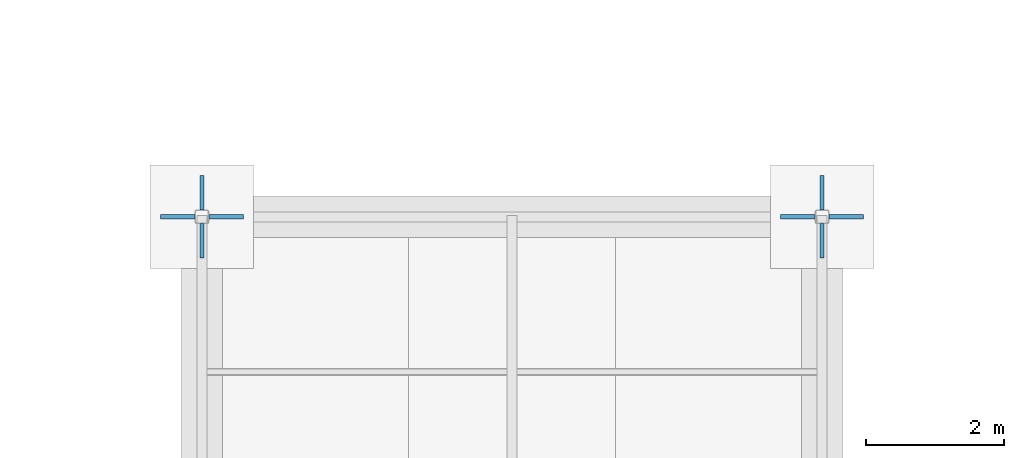
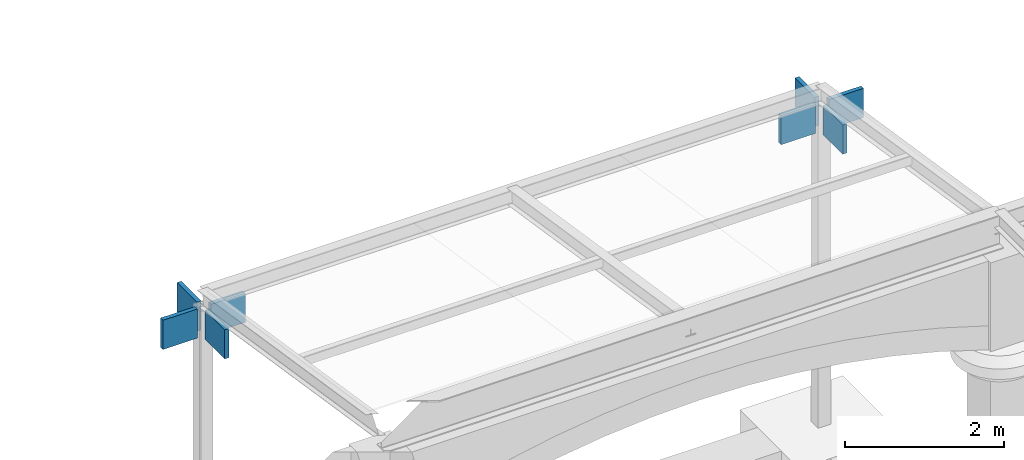
# One storey, part 80 of 106: 8 discrete accessories.
"""IFC4 building model written with IfcOpenShell, lengths in metres."""

from ifc_helpers import new_model, si_unit, direction, frame, origin, origin_2d, place, context, subcontext, project, spatial, rectangle, extrude, material, layer, layer_set, type_object, element, save


model = new_model("IFC4")

# Units and contexts
model_context = context("Model", 3, precision=1e-05, world=origin(), true_north=direction((0.0, 1.0)))
body_context = subcontext(model_context, "Body", "Model", "MODEL_VIEW")
ifc_project = project(units=[si_unit("LENGTHUNIT", "METRE"), si_unit("AREAUNIT", "SQUARE_METRE"), si_unit("VOLUMEUNIT", "CUBIC_METRE"), si_unit("PLANEANGLEUNIT", "RADIAN"), si_unit("MASSUNIT", "GRAM", prefix="KILO")], contexts=[model_context])

# Site, building, storey
site_placement = place(None, origin())
site = spatial("IfcSite", under=ifc_project, at=site_placement, CompositionType="ELEMENT")
building_placement = place(site_placement, origin())
building = spatial("IfcBuilding", under=site, at=building_placement, Name="Hortulan Conservatory and Botanical Research Centre", CompositionType="ELEMENT")
storey_placement = place(building_placement, origin())
storey = spatial("IfcBuildingStorey", under=building, at=storey_placement, Name="L00", CompositionType="ELEMENT", Elevation=0.0)

# Discrete accessories
ifc_material = material(Name="Bronze-charcoal painted wrought iron", Category="metal")
ifc_layer = layer(ifc_material, 0.06005859375)
ifc_layer_set = layer_set([ifc_layer], Name="Scroll Bracket 60x500x450")
discrete_accessory_type = type_object("IfcDiscreteAccessoryType", Name="Scroll Bracket 60x500x450", PredefinedType="BRACKET", material=ifc_layer_set)
for number, where, z_axis, x_axis, name in (
    (1, (49.85009765625, 45.0, 4.2978515625), (0.0, 0.0, 1.0), (1.0, 0.0, 0.0), "Scroll bracket"),
    (2, (49.14990234375, 45.0, 4.2978515625), (0.0, 0.0, 1.0), (1.0, 0.0, 0.0), "Scroll bracket"),
):
    element("IfcDiscreteAccessory", number, at=place(storey_placement, frame(where, z_axis=z_axis, x_axis=x_axis)), inside=storey, type_object=discrete_accessory_type, Name=name, PredefinedType="BRACKET", context=body_context, shape_type="SweptSolid", body=[
        extrude(rectangle(XDim=0.5, YDim=0.06005859375, at=origin_2d()), origin(), (0.0, 0.0, 1.0), 0.449951171875),
    ])
for number, where, z_axis, x_axis, name in (
    (3, (49.5, 45.35009765625, 4.2978515625), (0.0, 0.0, 1.0), (1.0, 0.0, 0.0), "Scroll bracket"),
    (4, (49.5, 44.64990234375, 4.2978515625), (0.0, 0.0, 1.0), (1.0, 0.0, 0.0), "Scroll bracket"),
):
    element("IfcDiscreteAccessory", number, at=place(storey_placement, frame(where, z_axis=z_axis, x_axis=x_axis)), inside=storey, type_object=discrete_accessory_type, Name=name, PredefinedType="BRACKET", context=body_context, shape_type="SweptSolid", body=[
        extrude(rectangle(XDim=0.06005859375, YDim=0.5, at=origin_2d()), origin(), (0.0, 0.0, 1.0), 0.449951171875),
    ])
for number, where, z_axis, x_axis, name in (
    (5, (58.85009765625, 45.0, 4.2978515625), (0.0, 0.0, 1.0), (1.0, 0.0, 0.0), "Scroll bracket"),
    (6, (58.14990234375, 45.0, 4.2978515625), (0.0, 0.0, 1.0), (1.0, 0.0, 0.0), "Scroll bracket"),
):
    element("IfcDiscreteAccessory", number, at=place(storey_placement, frame(where, z_axis=z_axis, x_axis=x_axis)), inside=storey, type_object=discrete_accessory_type, Name=name, PredefinedType="BRACKET", context=body_context, shape_type="SweptSolid", body=[
        extrude(rectangle(XDim=0.5, YDim=0.06005859375, at=origin_2d()), origin(), (0.0, 0.0, 1.0), 0.449951171875),
    ])
for number, where, z_axis, x_axis, name in (
    (7, (58.5, 45.35009765625, 4.2978515625), (0.0, 0.0, 1.0), (1.0, 0.0, 0.0), "Scroll bracket"),
    (8, (58.5, 44.64990234375, 4.2978515625), (0.0, 0.0, 1.0), (1.0, 0.0, 0.0), "Scroll bracket"),
):
    element("IfcDiscreteAccessory", number, at=place(storey_placement, frame(where, z_axis=z_axis, x_axis=x_axis)), inside=storey, type_object=discrete_accessory_type, Name=name, PredefinedType="BRACKET", context=body_context, shape_type="SweptSolid", body=[
        extrude(rectangle(XDim=0.06005859375, YDim=0.5, at=origin_2d()), origin(), (0.0, 0.0, 1.0), 0.449951171875),
    ])

save(model, "model.ifc")
